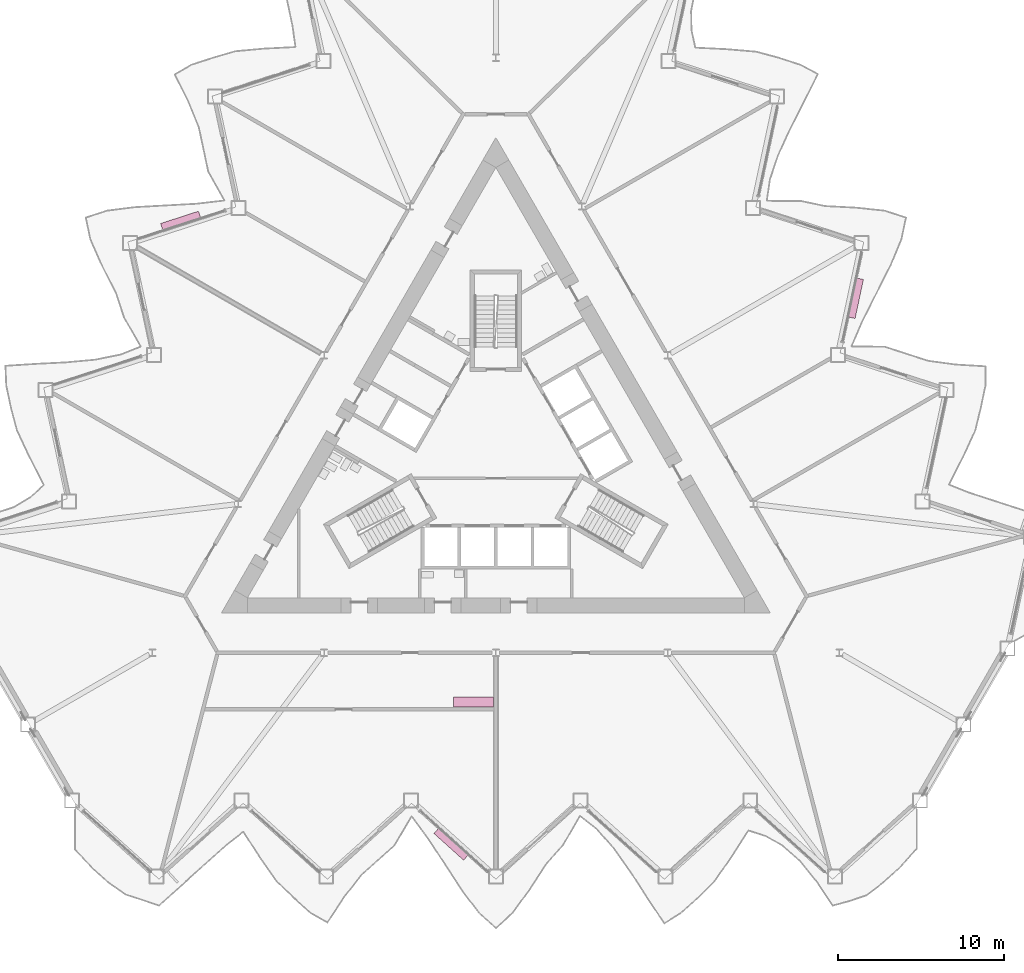
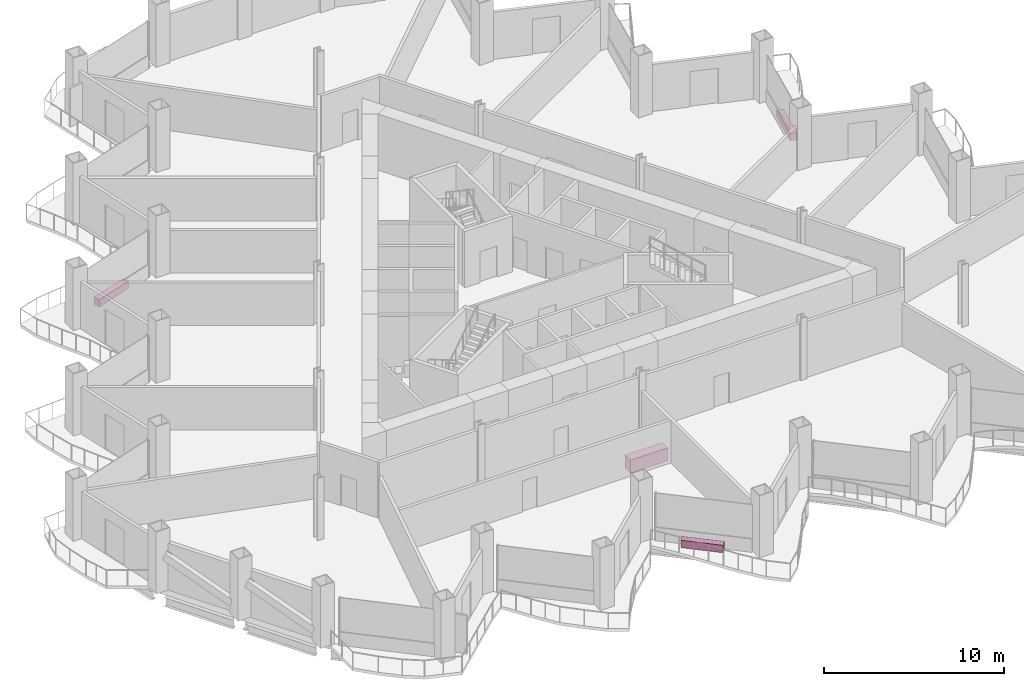
# One storey, part 21 of 21: 4 furniture elements.
"""IFC4 building model written with IfcOpenShell, lengths in metres."""

from ifc_helpers import new_model, si_unit, direction, frame, origin, origin_2d, place, context, subcontext, project, spatial, rectangle, extrude, material, type_object, element, save


model = new_model("IFC4")

# Units and contexts
model_context = context("Model", 3, precision=1e-05, world=origin(), true_north=direction((0.0, 1.0)))
body_context = subcontext(model_context, "Body", "Model", "MODEL_VIEW")
ifc_project = project(units=[si_unit("LENGTHUNIT", "METRE"), si_unit("AREAUNIT", "SQUARE_METRE"), si_unit("VOLUMEUNIT", "CUBIC_METRE"), si_unit("PLANEANGLEUNIT", "RADIAN"), si_unit("MASSUNIT", "GRAM", prefix="KILO")], contexts=[model_context])

# Site, building, storey
site_placement = place(None, origin())
site = spatial("IfcSite", under=ifc_project, at=site_placement, CompositionType="ELEMENT")
building_placement = place(site_placement, origin())
building = spatial("IfcBuilding", under=site, at=building_placement, Name="Cormorant Prow Tower", CompositionType="ELEMENT")
storey_placement = place(building_placement, frame((0.0, 0.0, 141.60009765625)))
storey = spatial("IfcBuildingStorey", under=building, at=storey_placement, Name="L30", CompositionType="ELEMENT", Elevation=141.60009765625)

# Furniture
ifc_material_1 = material(Name="Terracotta", Category="masonry")
furniture_type_1 = type_object("IfcFurnitureType", Name="Balcony planter 2400x400x500", AssemblyPlace="NOTDEFINED", PredefinedType="USERDEFINED", material=ifc_material_1)
for number, where, z_axis, x_axis, name in (
    (1, (-2.699462890625, -23.453857421875, 0.0), (0.0, 0.0, 1.0), (0.743144846674, -0.669130582818, 0.0), "Balcony planter S04"),
    (2, (21.661376953125, 9.38916015625, 0.0), (0.0, 0.0, 1.0), (0.207911689964, 0.978147600915, 0.0), "Balcony planter ENE04"),
    (3, (-18.9619140625, 14.064697265625, 0.0), (0.0, 0.0, 1.0), (-0.951056511608, -0.3090170088, 0.0), "Balcony planter WNW04"),
):
    element("IfcFurniture", number, at=place(storey_placement, frame(where, z_axis=z_axis, x_axis=x_axis)), inside=storey, type_object=furniture_type_1, Name=name, ObjectType="PLANTER", PredefinedType="USERDEFINED", context=body_context, shape_type="SweptSolid", body=[
        extrude(rectangle(XDim=2.39990234375, YDim=0.39990234375, at=origin_2d()), origin(), (0.0, 0.0, 1.0), 0.5),
    ])
ifc_material_2 = material(Name="Timber joinery", Category="wood")
furniture_type_2 = type_object("IfcFurnitureType", Name="Kitchen counter 2400x600", AssemblyPlace="NOTDEFINED", PredefinedType="NOTDEFINED", material=ifc_material_2)
furniture_placement = place(storey_placement, frame((-1.344970703125, -14.88134765625, 0.0), z_axis=(0.0, 0.0, 1.0), x_axis=(-1.0, 0.0, 0.0)))
element("IfcFurniture", 4, at=furniture_placement, inside=storey, type_object=furniture_type_2, Name="Kitchen counter", PredefinedType="NOTDEFINED", context=body_context, shape_type="SweptSolid", body=[
    extrude(rectangle(XDim=2.39990234375, YDim=0.60009765625, at=origin_2d()), origin(), (0.0, 0.0, 1.0), 0.89990234375),
])

save(model, "model.ifc")
